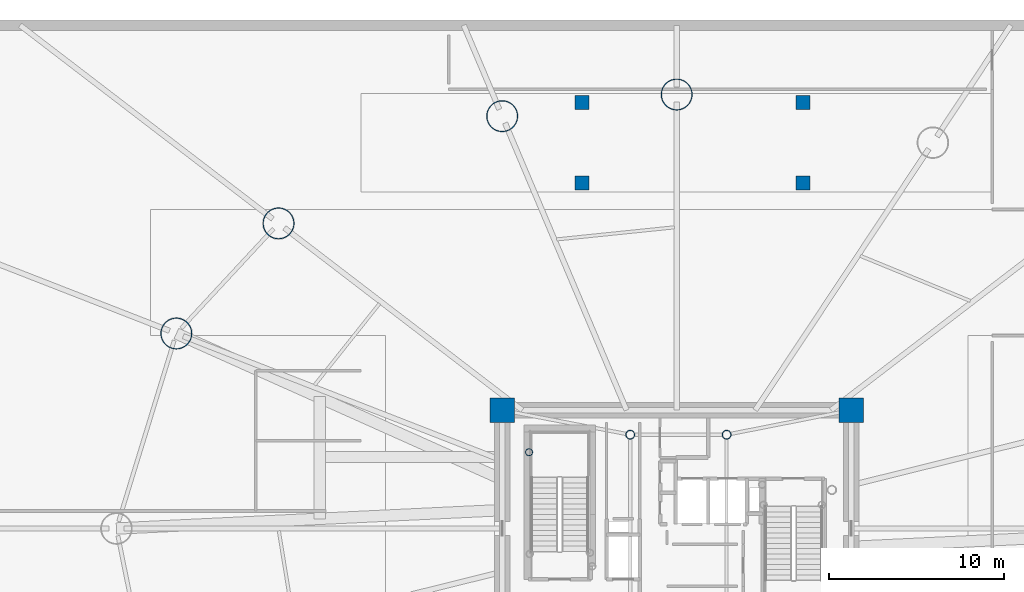
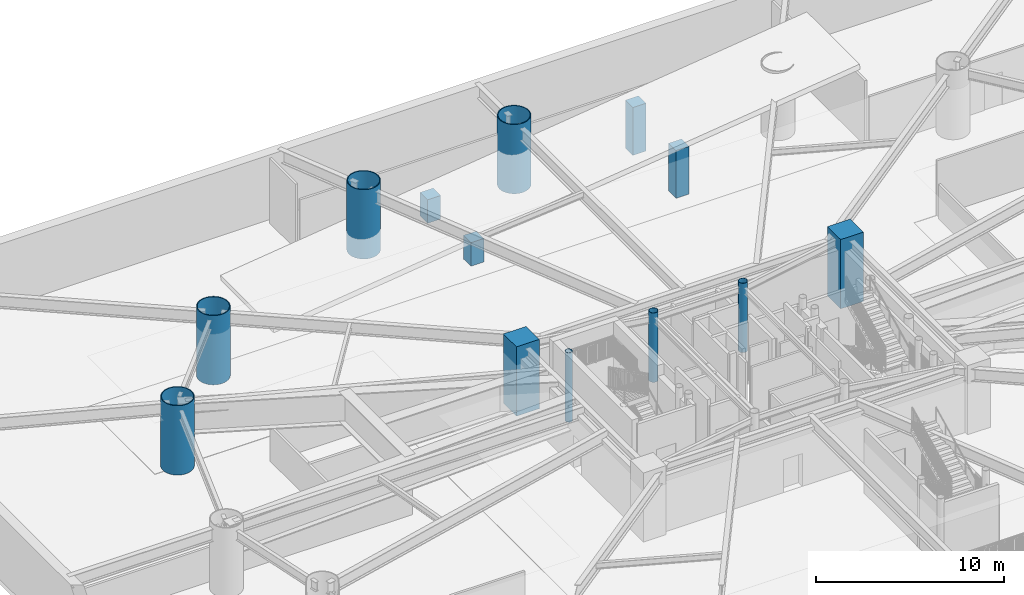
# One storey, part 3 of 21: 13 columns.
"""IFC4 building model written with IfcOpenShell, lengths in metres."""

from ifc_helpers import new_model, si_unit, direction, frame, origin, origin_2d, place, context, subcontext, project, spatial, rectangle, hollow_circle, extrude, material, material_profile, profile_set, type_object, element, save


model = new_model("IFC4")

# Units and contexts
model_context = context("Model", 3, precision=1e-05, world=origin(), true_north=direction((0.0, 1.0)))
body_context = subcontext(model_context, "Body", "Model", "MODEL_VIEW")
ifc_project = project(units=[si_unit("LENGTHUNIT", "METRE"), si_unit("AREAUNIT", "SQUARE_METRE"), si_unit("VOLUMEUNIT", "CUBIC_METRE"), si_unit("PLANEANGLEUNIT", "RADIAN"), si_unit("MASSUNIT", "GRAM", prefix="KILO")], contexts=[model_context])

# Site, building, storey
site_placement = place(None, origin())
site = spatial("IfcSite", under=ifc_project, at=site_placement, CompositionType="ELEMENT")
building_placement = place(site_placement, origin())
building = spatial("IfcBuilding", under=site, at=building_placement, Name="Linh Dai School and Residence Tower", CompositionType="ELEMENT")
storey_placement = place(building_placement, frame((0.0, 0.0, -4.5)))
storey = spatial("IfcBuildingStorey", under=building, at=storey_placement, Name="B01", CompositionType="ELEMENT", Elevation=-4.5)

# Columns
ifc_material_1 = material(Name="Concrete B60 (C50/60)", Category="concrete")
ifc_material_profile_1 = material_profile(ifc_material_1, rectangle(XDim=1.39990234375, YDim=1.39990234375, at=origin_2d()), Name="RC 1400x1400")
ifc_profile_set_1 = profile_set([ifc_material_profile_1], Name="Concrete B60 (C50/60)")
column_type_1 = type_object("IfcColumnType", Name="COL-CC1", PredefinedType="COLUMN", material=ifc_profile_set_1)
for number, where, z_axis, x_axis, name in (
    (1, (45.949951171875, 33.75, 0.0), (0.0, 0.0, 1.0), (1.0, 0.0, 0.0), "B01 Core Corner Pier CC3"),
    (2, (26.050048828125, 33.75, 0.0), (0.0, 0.0, 1.0), (1.0, 0.0, 0.0), "B01 Core Corner Pier CC4"),
):
    element("IfcColumn", number, at=place(storey_placement, frame(where, z_axis=z_axis, x_axis=x_axis)), inside=storey, type_object=column_type_1, Name=name, PredefinedType="COLUMN", context=body_context, shape_type="SweptSolid", body=[
        extrude(rectangle(XDim=1.39990234375, YDim=1.39990234375, at=origin_2d()), origin(), (0.0, 0.0, 1.0), 4.5),
    ])
ifc_material_2 = material(Name="Concrete B45 (C35/45)", Category="concrete")
ifc_material_profile_2 = material_profile(ifc_material_2, rectangle(XDim=0.800048828125, YDim=0.800048828125, at=origin_2d()), Name="RC 800x800")
ifc_profile_set_2 = profile_set([ifc_material_profile_2], Name="Concrete B45 (C35/45)")
column_type_2 = type_object("IfcColumnType", Name="COL-CC5", PredefinedType="COLUMN", material=ifc_profile_set_2)
for number, where, z_axis, x_axis, name in (
    (3, (30.60009765625, 46.699951171875, 0.0), (0.0, 0.0, 1.0), (1.0, 0.0, 0.0), "VR2 Ramp Support Pier"),
    (4, (30.60009765625, 51.300048828125, 0.0), (0.0, 0.0, 1.0), (1.0, 0.0, 0.0), "VR2 Ramp Support Pier"),
):
    element("IfcColumn", number, at=place(storey_placement, frame(where, z_axis=z_axis, x_axis=x_axis)), inside=storey, type_object=column_type_2, Name=name, PredefinedType="COLUMN", context=body_context, shape_type="SweptSolid", body=[
        extrude(rectangle(XDim=0.800048828125, YDim=0.800048828125, at=origin_2d()), origin(), (0.0, 0.0, 1.0), 1.52490234375),
    ])
for number, where, z_axis, x_axis, name in (
    (5, (43.199951171875, 46.699951171875, 0.0), (0.0, 0.0, 1.0), (1.0, 0.0, 0.0), "VR2 Ramp Support Pier"),
    (6, (43.199951171875, 51.300048828125, 0.0), (0.0, 0.0, 1.0), (1.0, 0.0, 0.0), "VR2 Ramp Support Pier"),
):
    element("IfcColumn", number, at=place(storey_placement, frame(where, z_axis=z_axis, x_axis=x_axis)), inside=storey, type_object=column_type_2, Name=name, PredefinedType="COLUMN", context=body_context, shape_type="SweptSolid", body=[
        extrude(rectangle(XDim=0.800048828125, YDim=0.800048828125, at=origin_2d()), origin(), (0.0, 0.0, 1.0), 3.10009765625),
    ])
ifc_material_3 = material(Name="Structural Steel S355JR", Category="steel")
ifc_material_profile_3 = material_profile(ifc_material_3, hollow_circle(Radius=0.203125, WallThickness=0.01611328125, at=origin_2d()), Name="CHS 406.4x16")
ifc_profile_set_3 = profile_set([ifc_material_profile_3], Name="Structural Steel S355JR")
column_type_3 = type_object("IfcColumnType", Name="COL-EC", PredefinedType="COLUMN", material=ifc_profile_set_3)
column_placement = place(storey_placement, frame((27.580078125, 31.35009765625, 0.0), z_axis=(0.0, 0.0, 1.0), x_axis=(1.0, 0.0, 0.0)))
element("IfcColumn", 7, at=column_placement, inside=storey, type_object=column_type_3, Name="B01 Stair Shaft Landing Support Pier ST1NW", PredefinedType="COLUMN", context=body_context, shape_type="SweptSolid", body=[
    extrude(hollow_circle(Radius=0.203125, WallThickness=0.01611328125, at=origin_2d()), origin(), (0.0, 0.0, 1.0), 4.5),
])
ifc_material_profile_4 = material_profile(ifc_material_3, hollow_circle(Radius=0.89990234375, WallThickness=0.050048828125, at=origin_2d()), Name="CHS 1800x50")
ifc_profile_set_4 = profile_set([ifc_material_profile_4], Name="Structural Steel S355JR")
column_type_4 = type_object("IfcColumnType", Name="COL-MC1", PredefinedType="COLUMN", material=ifc_profile_set_4)
for number, where, z_axis, x_axis, name in (
    (8, (36.0, 51.75, 0.0), (0.0, 0.0, 1.0), (1.0, 0.0, 0.0), "B01 Perimeter CFT Mega-Column MC05"),
    (9, (26.048828125, 50.51611328125, 0.0), (0.0, 0.0, 1.0), (1.0, 0.0, 0.0), "B01 Perimeter CFT Mega-Column MC06"),
    (10, (13.294677734375, 44.400634765625, 0.0), (0.0, 0.0, 1.0), (1.0, 0.0, 0.0), "B01 Perimeter CFT Mega-Column MC07"),
    (11, (7.46630859375, 38.1220703125, 0.0), (0.0, 0.0, 1.0), (1.0, 0.0, 0.0), "B01 Perimeter CFT Mega-Column MC08"),
):
    element("IfcColumn", number, at=place(storey_placement, frame(where, z_axis=z_axis, x_axis=x_axis)), inside=storey, type_object=column_type_4, Name=name, PredefinedType="COLUMN", context=body_context, shape_type="SweptSolid", body=[
        extrude(hollow_circle(Radius=0.89990234375, WallThickness=0.050048828125, at=origin_2d()), origin(), (0.0, 0.0, 1.0), 4.5),
    ])
ifc_material_profile_5 = material_profile(ifc_material_3, hollow_circle(Radius=0.25390625, WallThickness=0.02001953125, at=origin_2d()), Name="CHS 508x20")
ifc_profile_set_5 = profile_set([ifc_material_profile_5], Name="Structural Steel S355JR")
column_type_5 = type_object("IfcColumnType", Name="COL-MCP", PredefinedType="COLUMN", material=ifc_profile_set_5)
for number, where, z_axis, x_axis, name in (
    (12, (38.85009765625, 32.35009765625, 0.0), (0.0, 0.0, 1.0), (1.0, 0.0, 0.0), "B01 Core Mast Support Pier MCP3"),
    (13, (33.35009765625, 32.35009765625, 0.0), (0.0, 0.0, 1.0), (1.0, 0.0, 0.0), "B01 Core Mast Support Pier MCP4"),
):
    element("IfcColumn", number, at=place(storey_placement, frame(where, z_axis=z_axis, x_axis=x_axis)), inside=storey, type_object=column_type_5, Name=name, PredefinedType="COLUMN", context=body_context, shape_type="SweptSolid", body=[
        extrude(hollow_circle(Radius=0.25390625, WallThickness=0.02001953125, at=origin_2d()), origin(), (0.0, 0.0, 1.0), 4.5),
    ])

save(model, "model.ifc")
